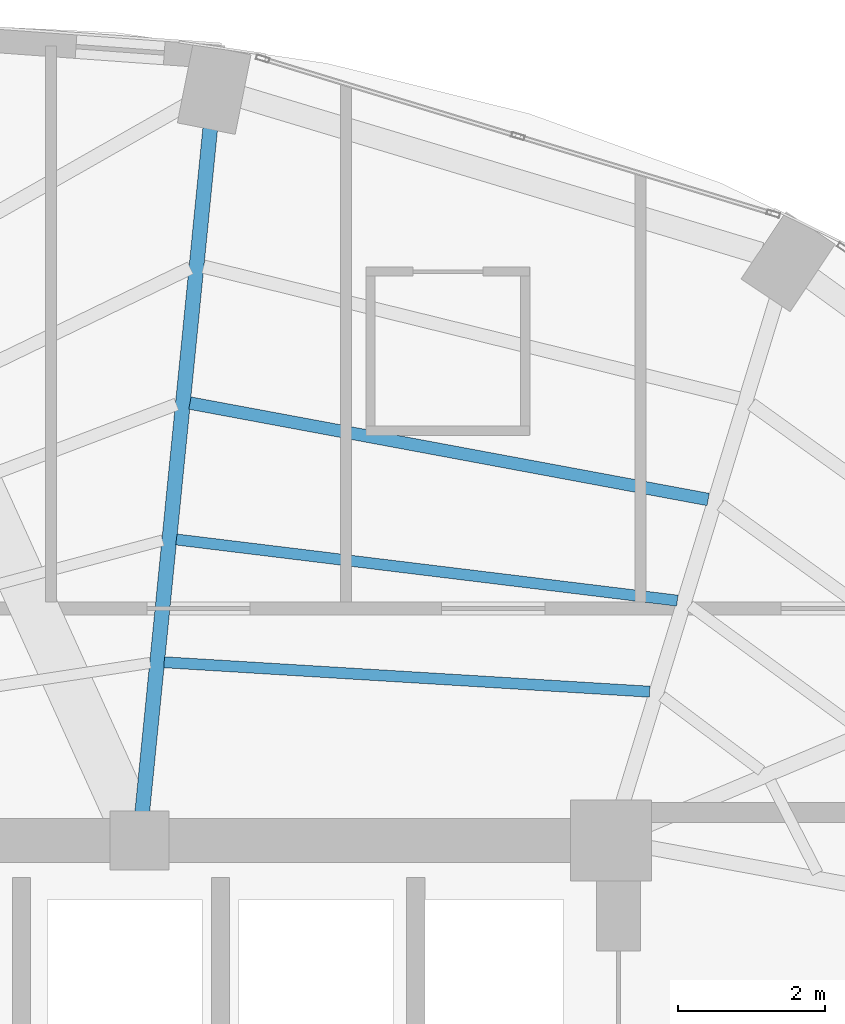
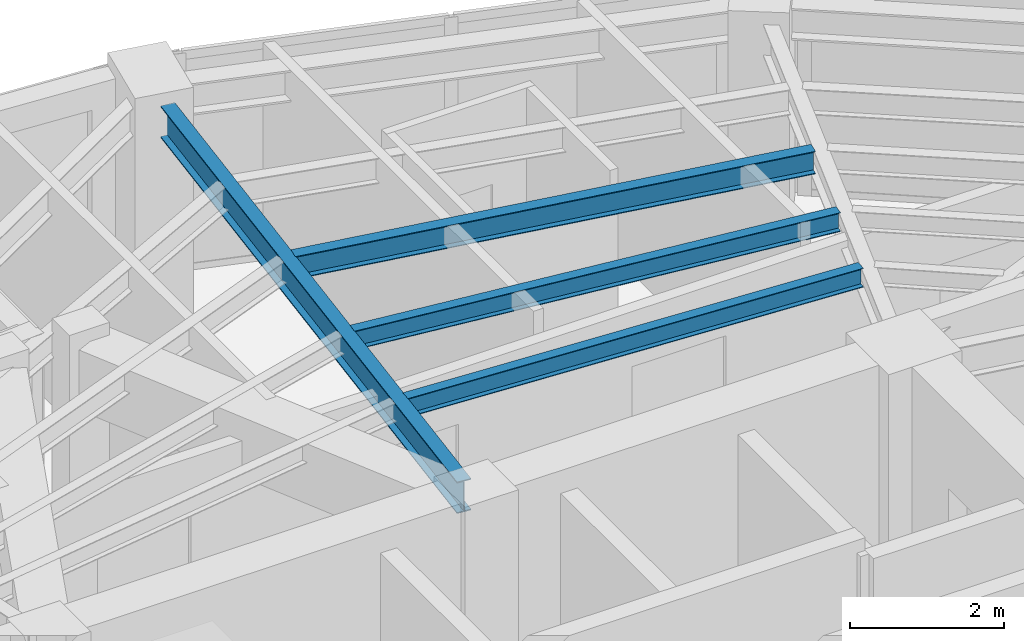
# One storey, part 12 of 23: 4 beams.
"""IFC4 building model written with IfcOpenShell, lengths in metres."""

from ifc_helpers import new_model, si_unit, direction, frame, origin, origin_2d, place, context, subcontext, project, spatial, i_section, extrude, material, material_profile, profile_set, type_object, element, save


model = new_model("IFC4")

# Units and contexts
model_context = context("Model", 3, precision=1e-05, world=origin(), true_north=direction((0.0, 1.0)))
body_context = subcontext(model_context, "Body", "Model", "MODEL_VIEW")
ifc_project = project(units=[si_unit("LENGTHUNIT", "METRE"), si_unit("AREAUNIT", "SQUARE_METRE"), si_unit("VOLUMEUNIT", "CUBIC_METRE"), si_unit("PLANEANGLEUNIT", "RADIAN"), si_unit("MASSUNIT", "GRAM", prefix="KILO")], contexts=[model_context])

# Site, building, storey
site_placement = place(None, origin())
site = spatial("IfcSite", under=ifc_project, at=site_placement, CompositionType="ELEMENT")
building_placement = place(site_placement, origin())
building = spatial("IfcBuilding", under=site, at=building_placement, Name="Lazwardi Medical Tower", CompositionType="ELEMENT")
storey_placement = place(building_placement, frame((0.0, 0.0, 198.47998046875)))
storey = spatial("IfcBuildingStorey", under=building, at=storey_placement, Name="L51", CompositionType="ELEMENT", Elevation=198.47998046875)

# Beams
ifc_material = material(Name="Steel S355", Category="steel")
ifc_material_profile_1 = material_profile(ifc_material, i_section(OverallWidth=0.199951171875, OverallDepth=0.5, WebThickness=0.01025390625, FlangeThickness=0.01611328125, at=origin_2d()), Name="IPE 500")
ifc_profile_set_1 = profile_set([ifc_material_profile_1], Name="Steel S355")
beam_type_1 = type_object("IfcBeamType", Name="BM-RG-W3", PredefinedType="BEAM", material=ifc_profile_set_1)
beam_1_placement = place(storey_placement, frame((40.1611328125, 45.265869140625, 3.197998046875), z_axis=(-0.098954361922, -0.995091972763, 0.0), x_axis=(0.995091972763, -0.098954361922, 0.0)))
element("IfcBeam", 1, at=beam_1_placement, inside=storey, type_object=beam_type_1, Name="Radial girder RG-04 R08 L51", PredefinedType="BEAM", context=body_context, shape_type="SweptSolid", body=[
    extrude(i_section(OverallWidth=0.199951171875, OverallDepth=0.5, WebThickness=0.01025390625, FlangeThickness=0.01611328125, at=origin_2d()), origin(), (0.0, 0.0, 1.0), 9.32861328125),
])
ifc_material_profile_2 = material_profile(ifc_material, i_section(OverallWidth=0.169921875, OverallDepth=0.360107421875, WebThickness=0.008056640625, FlangeThickness=0.0126953125, at=origin_2d()), Name="IPE 360")
ifc_profile_set_2 = profile_set([ifc_material_profile_2], Name="Steel S355")
beam_type_2 = type_object("IfcBeamType", Name="BM-SJ-02", PredefinedType="JOIST", material=ifc_profile_set_2)
beam_2_placement = place(storey_placement, frame((46.91552734375, 40.2275390625, 3.26806640625), z_axis=(-0.983132476587, 0.182894870019, 0.0), x_axis=(-0.182894870019, -0.983132476587, 0.0)))
element("IfcBeam", 2, at=beam_2_placement, inside=storey, type_object=beam_type_2, Name="Secondary joist SJ-02 R2 B07 L51", PredefinedType="JOIST", context=body_context, shape_type="SweptSolid", body=[
    extrude(i_section(OverallWidth=0.169921875, OverallDepth=0.360107421875, WebThickness=0.008056640625, FlangeThickness=0.0126953125, at=origin_2d()), origin(), (0.0, 0.0, 1.0), 7.15087890625),
])
ifc_material_profile_3 = material_profile(ifc_material, i_section(OverallWidth=0.14990234375, OverallDepth=0.300048828125, WebThickness=0.007080078125, FlangeThickness=0.0107421875, at=origin_2d()), Name="IPE 300")
ifc_profile_set_3 = profile_set([ifc_material_profile_3], Name="Steel S355")
beam_type_3 = type_object("IfcBeamType", Name="BM-SJ-03", PredefinedType="JOIST", material=ifc_profile_set_3)
beam_3_placement = place(storey_placement, frame((46.4970703125, 38.85546875, 3.298095703125), z_axis=(-0.992634689535, 0.121146081783, 0.0), x_axis=(-0.121146081783, -0.992634689535, 0.0)))
element("IfcBeam", 3, at=beam_3_placement, inside=storey, type_object=beam_type_3, Name="Secondary joist SJ-03 R3 B07 L51", PredefinedType="JOIST", context=body_context, shape_type="SweptSolid", body=[
    extrude(i_section(OverallWidth=0.14990234375, OverallDepth=0.300048828125, WebThickness=0.007080078125, FlangeThickness=0.0107421875, at=origin_2d()), origin(), (0.0, 0.0, 1.0), 6.845947265625),
])
beam_4_placement = place(storey_placement, frame((46.120849609375, 37.6201171875, 3.298095703125), z_axis=(-0.998165515862, 0.060544223044, 0.0), x_axis=(-0.060544223044, -0.998165515862, 0.0)))
element("IfcBeam", 4, at=beam_4_placement, inside=storey, type_object=beam_type_3, Name="Secondary joist SJ-03 R4 B07 L51", PredefinedType="JOIST", context=body_context, shape_type="SweptSolid", body=[
    extrude(i_section(OverallWidth=0.14990234375, OverallDepth=0.300048828125, WebThickness=0.007080078125, FlangeThickness=0.0107421875, at=origin_2d()), origin(), (0.0, 0.0, 1.0), 6.59716796875),
])

save(model, "model.ifc")
